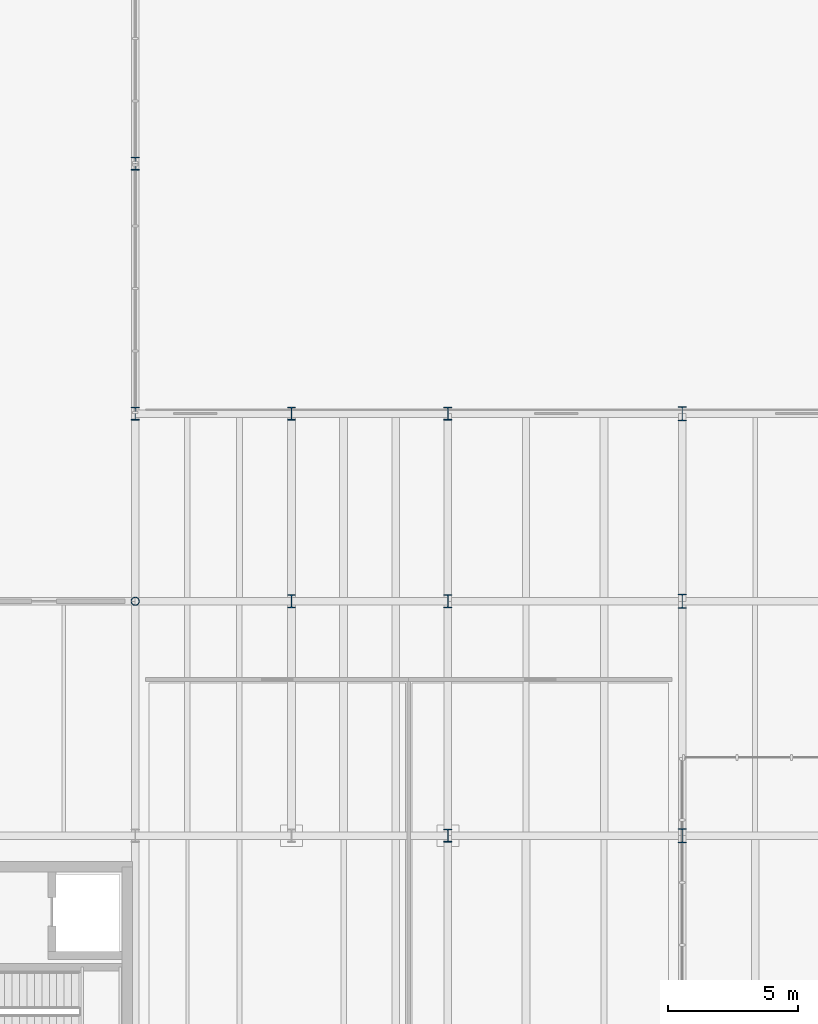
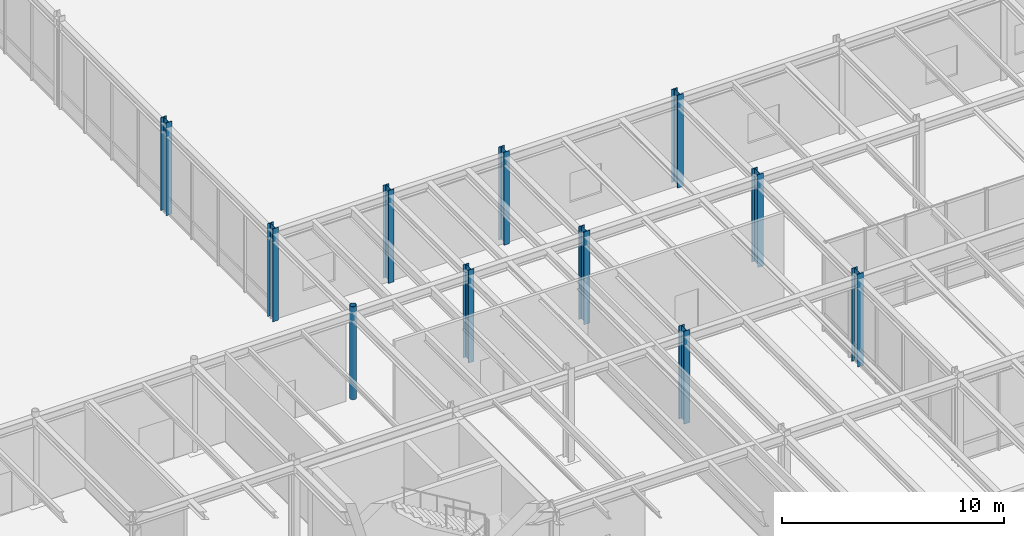
# One storey, part 7 of 64: 11 columns.
"""IFC4 building model written with IfcOpenShell, lengths in metres."""

from ifc_helpers import new_model, si_unit, direction, frame, origin, origin_2d, place, context, subcontext, project, spatial, hollow_circle, i_section, extrude, material, material_profile, profile_set, type_object, element, save


model = new_model("IFC4")

# Units and contexts
model_context = context("Model", 3, precision=1e-05, world=origin(), true_north=direction((0.0, 1.0)))
body_context = subcontext(model_context, "Body", "Model", "MODEL_VIEW")
ifc_project = project(units=[si_unit("LENGTHUNIT", "METRE"), si_unit("AREAUNIT", "SQUARE_METRE"), si_unit("VOLUMEUNIT", "CUBIC_METRE"), si_unit("PLANEANGLEUNIT", "RADIAN"), si_unit("MASSUNIT", "GRAM", prefix="KILO")], contexts=[model_context])

# Site, building, storey
site_placement = place(None, origin())
site = spatial("IfcSite", under=ifc_project, at=site_placement, CompositionType="ELEMENT")
building_placement = place(site_placement, origin())
building = spatial("IfcBuilding", under=site, at=building_placement, Name="Montealbar Specialist Clinic", CompositionType="ELEMENT")
storey_placement = place(building_placement, origin())
storey = spatial("IfcBuildingStorey", under=building, at=storey_placement, Name="L00", CompositionType="ELEMENT", Elevation=0.0)

# Columns
ifc_material = material(Name="Steel S355", Category="steel")
ifc_material_profile_1 = material_profile(ifc_material, hollow_circle(Radius=0.161865234375, WallThickness=0.01611328125, at=origin_2d()), Name="CHS 323.9x16.0", Category="steel")
ifc_profile_set_1 = profile_set([ifc_material_profile_1], Name="Steel S355")
column_type_1 = type_object("IfcColumnType", Name="COL-CHS-HALL", PredefinedType="COLUMN", material=ifc_profile_set_1)
column_1_placement = place(storey_placement, frame((99.0, 45.0, 0.0), z_axis=(0.0, 0.0, 1.0), x_axis=(1.0, 0.0, 0.0)))
element("IfcColumn", 1, at=column_1_placement, inside=storey, type_object=column_type_1, Name="Column 13/F L00", PredefinedType="COLUMN", context=body_context, shape_type="SweptSolid", body=[
    extrude(hollow_circle(Radius=0.161865234375, WallThickness=0.01611328125, at=origin_2d()), origin(), (0.0, 0.0, 1.0), 5.10009765625),
])
ifc_material_profile_2 = material_profile(ifc_material, i_section(OverallWidth=0.300048828125, OverallDepth=0.550048828125, WebThickness=0.014892578125, FlangeThickness=0.029052734375, FilletRadius=0.027099609375, at=origin_2d()), Name="HEB 550", Category="steel")
ifc_profile_set_2 = profile_set([ifc_material_profile_2], Name="Steel S355")
column_type_2 = type_object("IfcColumnType", Name="COL-S-L00-HVY", PredefinedType="COLUMN", material=ifc_profile_set_2)
column_2_placement = place(storey_placement, frame((120.0, 45.0, 0.0), z_axis=(0.0, 0.0, 1.0), x_axis=(1.0, 0.0, 0.0)))
element("IfcColumn", 2, at=column_2_placement, inside=storey, type_object=column_type_2, Name="Column 16/F L00", PredefinedType="COLUMN", context=body_context, shape_type="SweptSolid", body=[
    extrude(i_section(OverallWidth=0.300048828125, OverallDepth=0.550048828125, WebThickness=0.014892578125, FlangeThickness=0.029052734375, FilletRadius=0.027099609375, at=origin_2d()), origin(), (0.0, 0.0, 1.0), 5.10009765625),
])
ifc_material_profile_3 = material_profile(ifc_material, i_section(OverallWidth=0.300048828125, OverallDepth=0.550048828125, WebThickness=0.014892578125, FlangeThickness=0.029052734375, FilletRadius=0.027099609375, at=origin_2d()), Name="HEB 550", Category="steel")
ifc_profile_set_3 = profile_set([ifc_material_profile_3], Name="Steel S355")
column_type_3 = type_object("IfcColumnType", Name="COL-S-L00-HVY-EXT", PredefinedType="COLUMN", material=ifc_profile_set_3)
for number, where, z_axis, x_axis, name in (
    (3, (120.0, 36.0, 0.0), (0.0, 0.0, 1.0), (1.0, 0.0, 0.0), "Column 16/E L00"),
    (4, (120.0, 52.199951171875, 0.0), (0.0, 0.0, 1.0), (1.0, 0.0, 0.0), "Column 16/G L00"),
):
    element("IfcColumn", number, at=place(storey_placement, frame(where, z_axis=z_axis, x_axis=x_axis)), inside=storey, type_object=column_type_3, Name=name, PredefinedType="COLUMN", context=body_context, shape_type="SweptSolid", body=[
        extrude(i_section(OverallWidth=0.300048828125, OverallDepth=0.550048828125, WebThickness=0.014892578125, FlangeThickness=0.029052734375, FilletRadius=0.027099609375, at=origin_2d()), origin(), (0.0, 0.0, 1.0), 5.10009765625),
    ])
ifc_material_profile_4 = material_profile(ifc_material, i_section(OverallWidth=0.300048828125, OverallDepth=0.5, WebThickness=0.014404296875, FlangeThickness=0.028076171875, FilletRadius=0.027099609375, at=origin_2d()), Name="HEB 500", Category="steel")
ifc_profile_set_4 = profile_set([ifc_material_profile_4], Name="Steel S355")
column_type_4 = type_object("IfcColumnType", Name="COL-S-L00-STD", PredefinedType="COLUMN", material=ifc_profile_set_4)
for number, where, z_axis, x_axis, name in (
    (5, (105.0, 45.0, 0.0), (0.0, 0.0, 1.0), (1.0, 0.0, 0.0), "Column 14/F L00"),
    (6, (111.0, 36.0, 0.0), (0.0, 0.0, 1.0), (1.0, 0.0, 0.0), "Column 15/E L00"),
    (7, (111.0, 45.0, 0.0), (0.0, 0.0, 1.0), (1.0, 0.0, 0.0), "Column 15/F L00"),
):
    element("IfcColumn", number, at=place(storey_placement, frame(where, z_axis=z_axis, x_axis=x_axis)), inside=storey, type_object=column_type_4, Name=name, PredefinedType="COLUMN", context=body_context, shape_type="SweptSolid", body=[
        extrude(i_section(OverallWidth=0.300048828125, OverallDepth=0.5, WebThickness=0.014404296875, FlangeThickness=0.028076171875, FilletRadius=0.027099609375, at=origin_2d()), origin(), (0.0, 0.0, 1.0), 5.10009765625),
    ])
ifc_material_profile_5 = material_profile(ifc_material, i_section(OverallWidth=0.300048828125, OverallDepth=0.5, WebThickness=0.014404296875, FlangeThickness=0.028076171875, FilletRadius=0.027099609375, at=origin_2d()), Name="HEB 500", Category="steel")
ifc_profile_set_5 = profile_set([ifc_material_profile_5], Name="Steel S355")
column_type_5 = type_object("IfcColumnType", Name="COL-S-L00-STD-EXT", PredefinedType="COLUMN", material=ifc_profile_set_5)
for number, where, z_axis, x_axis, name in (
    (8, (99.0, 52.199951171875, 0.0), (0.0, 0.0, 1.0), (1.0, 0.0, 0.0), "Column 13/G L00"),
    (9, (99.0, 61.800048828125, 0.0), (0.0, 0.0, 1.0), (1.0, 0.0, 0.0), "Column 13/H L00"),
    (10, (105.0, 52.199951171875, 0.0), (0.0, 0.0, 1.0), (1.0, 0.0, 0.0), "Column 14/G L00"),
    (11, (111.0, 52.199951171875, 0.0), (0.0, 0.0, 1.0), (1.0, 0.0, 0.0), "Column 15/G L00"),
):
    element("IfcColumn", number, at=place(storey_placement, frame(where, z_axis=z_axis, x_axis=x_axis)), inside=storey, type_object=column_type_5, Name=name, PredefinedType="COLUMN", context=body_context, shape_type="SweptSolid", body=[
        extrude(i_section(OverallWidth=0.300048828125, OverallDepth=0.5, WebThickness=0.014404296875, FlangeThickness=0.028076171875, FilletRadius=0.027099609375, at=origin_2d()), origin(), (0.0, 0.0, 1.0), 5.10009765625),
    ])

save(model, "model.ifc")
